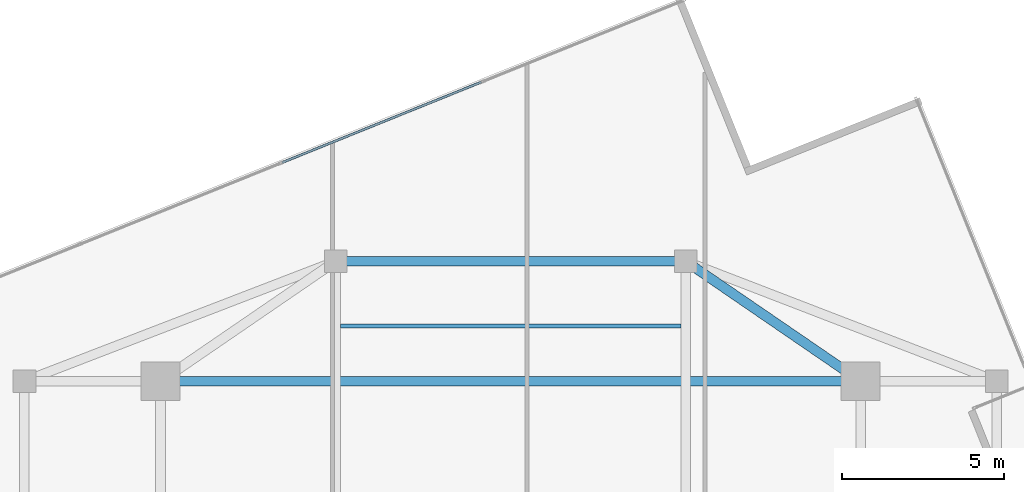
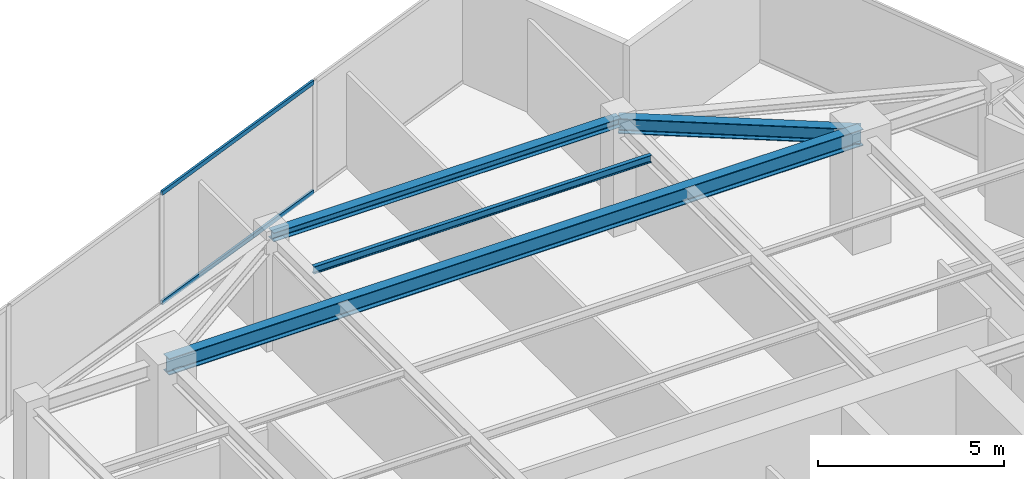
# One storey, part 14 of 21: 4 beams, 2 members, 1 element without a shape of its own.
"""IFC4 building model written with IfcOpenShell, lengths in metres."""

import ifcopenshell
import ifcopenshell.guid

model = None  # the IFC model being written
_history = None  # IfcOwnerHistory: only IFC2X3 demands one
_inside = {}  # id of a spatial element -> (the spatial element, [elements in it])
_under = {}  # id of a project, library or spatial element -> (it, [spatial elements below it])
_declared = {}  # id of a project -> (the project, [libraries it declares])
_typed = {}  # id of a type object -> (the type object, [elements of that type])
_made_of = {}  # id of a material, layer set ... -> (it, [elements and type objects made of it])


def new_model(schema):
    """Start an empty IFC model of exactly this schema.

    Asked for "IFC4X3", IfcOpenShell would pick the latest addendum, in which some entities
    have other attributes; the version numbers below select the first issue.
    IFC2X3 requires an IfcOwnerHistory on every rooted entity: one is made here for all.
    """
    global model, _history
    if schema == "IFC4X3":
        model = ifcopenshell.file(schema_version=(4, 3, 0, 0))
    else:
        model = ifcopenshell.file(schema=schema)
    _inside.clear()
    _under.clear()
    _declared.clear()
    _typed.clear()
    _made_of.clear()
    _history = None
    if model.schema == "IFC2X3":
        org = make("IfcOrganization", Name="unknown")
        user = make(
            "IfcPersonAndOrganization",
            ThePerson=make("IfcPerson", FamilyName="unknown"),
            TheOrganization=org,
        )
        app = make(
            "IfcApplication",
            ApplicationDeveloper=org,
            Version="unknown",
            ApplicationFullName="unknown",
            ApplicationIdentifier="unknown",
        )
        _history = make(
            "IfcOwnerHistory",
            OwningUser=user,
            OwningApplication=app,
            ChangeAction="ADDED",
            CreationDate=0,
        )
    return model


def make(cls, **values):
    """One entity of the class cls with the attributes given. An attribute that is None is left unset."""
    return model.create_entity(
        cls, **{name: value for name, value in values.items() if value is not None}
    )


def rooted(cls, **values):
    """An entity with a GlobalId (a new one), such as an element, a storey or a relation."""
    return make(cls, GlobalId=ifcopenshell.guid.new(), OwnerHistory=_history, **values)


def si_unit(unit_type, name, prefix=None):
    """IfcSIUnit, for example si_unit("LENGTHUNIT", "METRE", prefix="MILLI")."""
    return make("IfcSIUnit", UnitType=unit_type, Prefix=prefix, Name=name)


def assignment(units):
    """IfcUnitAssignment: the units of a project."""
    return None if units is None else make("IfcUnitAssignment", Units=units)


def point(xyz):
    """IfcCartesianPoint."""
    return None if xyz is None else make("IfcCartesianPoint", Coordinates=xyz)


def direction(xyz):
    """IfcDirection."""
    return None if xyz is None else make("IfcDirection", DirectionRatios=xyz)


def frame(location, z_axis=None, x_axis=None):
    """IfcAxis2Placement3D, a coordinate frame: its origin and axes. An axis left out is left unset."""
    return make(
        "IfcAxis2Placement3D",
        Location=point(location),
        Axis=direction(z_axis),
        RefDirection=direction(x_axis),
    )


def frame_2d(location, x_axis=None):
    """IfcAxis2Placement2D, a coordinate frame in the plane: its origin and x axis."""
    return make(
        "IfcAxis2Placement2D", Location=point(location), RefDirection=direction(x_axis)
    )


def origin():
    """The frame at (0, 0, 0) with its axes left unset."""
    return frame((0.0, 0.0, 0.0))


def origin_2d():
    """The frame at (0, 0) in the plane with its x axis left unset."""
    return frame_2d((0.0, 0.0))


def place(relative_to, where):
    """IfcLocalPlacement: puts the frame where relative to a parent placement (None: the world)."""
    return make(
        "IfcLocalPlacement", PlacementRelTo=relative_to, RelativePlacement=where
    )


def context(
    kind, dimensions, precision=None, world=None, true_north=None, identifier=None
):
    """IfcGeometricRepresentationContext, for example the 3D "Model" context."""
    return make(
        "IfcGeometricRepresentationContext",
        ContextIdentifier=identifier,
        ContextType=kind,
        CoordinateSpaceDimension=dimensions,
        Precision=precision,
        WorldCoordinateSystem=world,
        TrueNorth=true_north,
    )


def subcontext(parent, identifier, kind, view, scale=None):
    """IfcGeometricRepresentationSubContext, for example "Body" below "Model"."""
    return make(
        "IfcGeometricRepresentationSubContext",
        ContextIdentifier=identifier,
        ContextType=kind,
        ParentContext=parent,
        TargetScale=scale,
        TargetView=view,
    )


def project(units=None, contexts=None):
    """IfcProject with its units and contexts."""
    return rooted(
        "IfcProject",
        Name="project",
        RepresentationContexts=contexts,
        UnitsInContext=assignment(units),
    )


def spatial(cls, under=None, at=None, **own):
    """A site, building, storey or space (cls), placed at a placement, below another one or the project."""
    s = rooted(cls, ObjectPlacement=at, **own)
    if under is not None:
        _under.setdefault(under.id(), (under, []))[1].append(s)
    return s


def profile(cls, at=None, kind="AREA", **sizes):
    """A parametric profile (cls). Its sizes go by their IFC names, for example OverallWidth=200.0."""
    return make(cls, ProfileType=kind, Position=at, **sizes)


def hollow_rectangle(**sizes):
    """IfcRectangleHollowProfileDef."""
    return profile("IfcRectangleHollowProfileDef", **sizes)


def i_section(**sizes):
    """IfcIShapeProfileDef."""
    return profile("IfcIShapeProfileDef", **sizes)


def extrude(swept, where, along, depth):
    """IfcExtrudedAreaSolid: the profile swept, set in the frame where, extruded along a direction by depth."""
    return make(
        "IfcExtrudedAreaSolid",
        SweptArea=swept,
        Position=where,
        ExtrudedDirection=direction(along),
        Depth=depth,
    )


def shape(context_of_items, identifier, shape_type, items):
    """IfcShapeRepresentation: the items that make up one representation, for example the "Body"."""
    return make(
        "IfcShapeRepresentation",
        ContextOfItems=context_of_items,
        RepresentationIdentifier=identifier,
        RepresentationType=shape_type,
        Items=items,
    )


def source(mapping_origin, context_of_items, identifier, shape_type, items):
    """IfcRepresentationMap: a shape defined once, which mapped items show again and again."""
    return make(
        "IfcRepresentationMap",
        MappingOrigin=mapping_origin,
        MappedRepresentation=shape(context_of_items, identifier, shape_type, items),
    )


def transform(
    local_origin,
    x_axis=None,
    y_axis=None,
    z_axis=None,
    scale=None,
    scale2=None,
    scale3=None,
    uniform=True,
):
    """IfcCartesianTransformationOperator3D, or its non-uniform kind. x_axis, y_axis, z_axis: its Axis1, 2, 3."""
    if uniform:
        return make(
            "IfcCartesianTransformationOperator3D",
            Axis1=direction(x_axis),
            Axis2=direction(y_axis),
            LocalOrigin=point(local_origin),
            Scale=scale,
            Axis3=direction(z_axis),
        )
    return make(
        "IfcCartesianTransformationOperator3DnonUniform",
        Axis1=direction(x_axis),
        Axis2=direction(y_axis),
        LocalOrigin=point(local_origin),
        Scale=scale,
        Axis3=direction(z_axis),
        Scale2=scale2,
        Scale3=scale3,
    )


def mapped(mapping_source, mapping_target):
    """IfcMappedItem: shows the shape of a source again, moved by a transform."""
    return make(
        "IfcMappedItem", MappingSource=mapping_source, MappingTarget=mapping_target
    )


def material(Name=None, Category=None):
    """IfcMaterial."""
    return make("IfcMaterial", Name=Name, Category=Category)


def material_profile(
    of_material, cross_section, Name=None, Category=None, Priority=None
):
    """IfcMaterialProfile: a cross section and its material."""
    return make(
        "IfcMaterialProfile",
        Name=Name,
        Material=of_material,
        Profile=cross_section,
        Priority=Priority,
        Category=Category,
    )


def profile_set(profiles, Name=None, composite=None):
    """IfcMaterialProfileSet."""
    return make(
        "IfcMaterialProfileSet",
        Name=Name,
        MaterialProfiles=profiles,
        CompositeProfile=composite,
    )


def made_of(thing, what):
    """Note that an element or type object is made of a material, layer set ...; save() writes the relation."""
    if what is not None:
        _made_of.setdefault(what.id(), (what, []))[1].append(thing)
    return thing


def type_object(cls, material=None, **own):
    """A type object (cls), such as IfcWallType, which elements share."""
    return made_of(rooted(cls, **own), material)


def type_shapes(of_type, sources):
    """Give a type object the sources (RepresentationMaps) that its elements show as mapped items."""
    of_type.RepresentationMaps = sources


def element(
    cls,
    number,
    at=None,
    inside=None,
    cuts=None,
    type_object=None,
    material=None,
    context=None,
    identifier="Body",
    shape_type=None,
    held_by="IfcProductDefinitionShape",
    body=None,
    shapes=None,
    **own,
):
    """One element of the class cls, such as IfcWall. Its Tag is "e" and its number.

    at: its placement. inside: the storey or other place that contains it. cuts: it is an
    opening in that element (IfcRelVoidsElement). A single representation is given by context,
    identifier, shape_type and body (its items); several are given by shapes. held_by: the class
    of the entity that holds the representations. save() writes the other relations.
    """
    e = rooted(cls, Tag="e%d" % number, ObjectPlacement=at, **own)
    if body is not None:
        shapes = [shape(context, identifier, shape_type, body)]
    if shapes is not None:
        e.Representation = make(held_by, Representations=shapes)
    if inside is not None:
        _inside.setdefault(inside.id(), (inside, []))[1].append(e)
    if cuts is not None:
        rooted(
            "IfcRelVoidsElement", RelatingBuildingElement=cuts, RelatedOpeningElement=e
        )
    if type_object is not None:
        _typed.setdefault(type_object.id(), (type_object, []))[1].append(e)
    return made_of(e, material)


def aggregate(whole, parts):
    """IfcRelAggregates: a whole, such as a stair, and the parts it consists of."""
    return rooted("IfcRelAggregates", RelatingObject=whole, RelatedObjects=parts)


def save(model, path):
    """Write the relations noted so far, then the file.

    IfcRelAggregates (storeys below a building ...), IfcRelContainedInSpatialStructure (elements
    in a storey), IfcRelDefinesByType, IfcRelAssociatesMaterial and IfcRelDeclares: one each for
    every whole, place, type object, material and project.
    """
    for whole, parts in _under.values():
        aggregate(whole, parts)
    for where, things in _inside.values():
        rooted(
            "IfcRelContainedInSpatialStructure",
            RelatedElements=things,
            RelatingStructure=where,
        )
    for kind, things in _typed.values():
        rooted("IfcRelDefinesByType", RelatedObjects=things, RelatingType=kind)
    for what, things in _made_of.values():
        rooted("IfcRelAssociatesMaterial", RelatedObjects=things, RelatingMaterial=what)
    for by, libraries in _declared.values():
        rooted("IfcRelDeclares", RelatingContext=by, RelatedDefinitions=libraries)
    model.write(path)


model = new_model("IFC4")

# Units and contexts
model_context = context("Model", 3, precision=1e-05, world=origin(), true_north=direction((0.0, 1.0)))
body_context = subcontext(model_context, "Body", "Model", "MODEL_VIEW")
ifc_project = project(units=[si_unit("LENGTHUNIT", "METRE"), si_unit("AREAUNIT", "SQUARE_METRE"), si_unit("VOLUMEUNIT", "CUBIC_METRE"), si_unit("PLANEANGLEUNIT", "RADIAN"), si_unit("MASSUNIT", "GRAM", prefix="KILO")], contexts=[model_context])

# Site, building, storey
site_placement = place(None, origin())
site = spatial("IfcSite", under=ifc_project, at=site_placement, CompositionType="ELEMENT")
building_placement = place(site_placement, origin())
building = spatial("IfcBuilding", under=site, at=building_placement, Name="Krantzveldt Concourse Tower", CompositionType="ELEMENT")
storey_placement = place(building_placement, frame((0.0, 0.0, 327.699951171875)))
storey = spatial("IfcBuildingStorey", under=building, at=storey_placement, Name="L80", CompositionType="ELEMENT", Elevation=327.699951171875)

# Beams
ifc_material_1 = material(Name="Steel S355JR", Category="steel")
ifc_material_profile_1 = material_profile(ifc_material_1, i_section(OverallWidth=0.300048828125, OverallDepth=0.489990234375, WebThickness=0.011962890625, FlangeThickness=0.02294921875, FilletRadius=0.027099609375, at=origin_2d()), Name="Steel S355JR", Category="steel")
ifc_profile_set_1 = profile_set([ifc_material_profile_1], Name="Steel S355JR - HEA 500")
beam_type_1 = type_object("IfcBeamType", Name="BM-B-HEA500", PredefinedType="BEAM", material=ifc_profile_set_1)
shared_shape_1 = source(origin(), body_context, "Body", "SweptSolid", [
    extrude(i_section(OverallWidth=0.300048828125, OverallDepth=0.489990234375, WebThickness=0.011962890625, FlangeThickness=0.02294921875, FilletRadius=0.027099609375, at=origin_2d()), origin(), (0.0, 0.0, 1.0), 6.546142578125),
])
type_shapes(beam_type_1, [shared_shape_1])
beam_1_placement = place(storey_placement, frame((46.800048828125, 37.5, 3.425048828125), z_axis=(-0.824942999484, 0.565215930068, 0.0), x_axis=(-0.565215930068, -0.824942999484, 0.0)))
element("IfcBeam", 1, at=beam_1_placement, inside=storey, type_object=beam_type_1, Name="L80 Tower Girder BR-RR4", PredefinedType="BEAM", context=body_context, shape_type="MappedRepresentation", body=[
    mapped(shared_shape_1, transform((0.0, 0.0, 0.0), x_axis=(1.0, 0.0, 0.0), y_axis=(0.0, 1.0, 0.0), z_axis=(0.0, 0.0, 1.0), scale=1.0)),
])
ifc_material_profile_2 = material_profile(ifc_material_1, i_section(OverallWidth=0.300048828125, OverallDepth=0.5400390625, WebThickness=0.012451171875, FlangeThickness=0.02392578125, FilletRadius=0.027099609375, at=origin_2d()), Name="Steel S355JR", Category="steel")
ifc_profile_set_2 = profile_set([ifc_material_profile_2], Name="Steel S355JR - HEA 550")
beam_type_2 = type_object("IfcBeamType", Name="BM-B-HEA550", PredefinedType="BEAM", material=ifc_profile_set_2)
shared_shape_2 = source(origin(), body_context, "Body", "SweptSolid", [
    extrude(i_section(OverallWidth=0.300048828125, OverallDepth=0.5400390625, WebThickness=0.012451171875, FlangeThickness=0.02392578125, FilletRadius=0.027099609375, at=origin_2d()), origin(), (0.0, 0.0, 1.0), 21.60009765625),
])
type_shapes(beam_type_2, [shared_shape_2])
beam_2_placement = place(storey_placement, frame((25.199951171875, 37.5, 3.400146484375), z_axis=(1.0, 0.0, 0.0), x_axis=(0.0, 1.0, 0.0)))
element("IfcBeam", 2, at=beam_2_placement, inside=storey, type_object=beam_type_2, Name="L80 Tower Girder BG-MN", PredefinedType="BEAM", context=body_context, shape_type="MappedRepresentation", body=[
    mapped(shared_shape_2, transform((0.0, 0.0, 0.0), x_axis=(1.0, 0.0, 0.0), y_axis=(0.0, 1.0, 0.0), z_axis=(0.0, 0.0, 1.0), scale=1.0)),
])
ifc_material_profile_3 = material_profile(ifc_material_1, i_section(OverallWidth=0.2900390625, OverallDepth=0.2900390625, WebThickness=0.008544921875, FlangeThickness=0.013916015625, FilletRadius=0.027099609375, at=origin_2d()), Name="Steel S355JR", Category="steel")
ifc_profile_set_3 = profile_set([ifc_material_profile_3], Name="Steel S355JR - HEA 300")
beam_type_3 = type_object("IfcBeamType", Name="BM-SP-HEA300", PredefinedType="SPANDREL", material=ifc_profile_set_3)
shared_shape_3 = source(origin(), body_context, "Body", "SweptSolid", [
    extrude(i_section(OverallWidth=0.2900390625, OverallDepth=0.2900390625, WebThickness=0.008544921875, FlangeThickness=0.013916015625, FilletRadius=0.027099609375, at=origin_2d()), origin(), (0.0, 0.0, 1.0), 10.7998046875),
])
type_shapes(beam_type_3, [shared_shape_3])
beam_3_placement = place(storey_placement, frame((30.60009765625, 41.199951171875, 3.525146484375), z_axis=(1.0, 0.0, 0.0), x_axis=(0.0, 1.0, 0.0)))
element("IfcBeam", 3, at=beam_3_placement, inside=storey, type_object=beam_type_3, Name="L80 Tower Girder SP-R04", PredefinedType="SPANDREL", context=body_context, shape_type="MappedRepresentation", body=[
    mapped(shared_shape_3, transform((0.0, 0.0, 0.0), x_axis=(1.0, 0.0, 0.0), y_axis=(0.0, 1.0, 0.0), z_axis=(0.0, 0.0, 1.0), scale=1.0)),
])
ifc_material_profile_4 = material_profile(ifc_material_1, i_section(OverallWidth=0.1201171875, OverallDepth=0.239990234375, WebThickness=0.006103515625, FlangeThickness=0.009765625, FilletRadius=0.014892578125, at=origin_2d()), Name="Steel S355JR", Category="steel")
ifc_profile_set_4 = profile_set([ifc_material_profile_4], Name="Steel S355JR - IPE 240")
beam_type_4 = type_object("IfcBeamType", Name="BM-LN-IPE240", PredefinedType="LINTEL", material=ifc_profile_set_4)
shared_shape_4 = source(origin(), body_context, "Body", "SweptSolid", [
    extrude(i_section(OverallWidth=0.1201171875, OverallDepth=0.239990234375, WebThickness=0.006103515625, FlangeThickness=0.009765625, FilletRadius=0.014892578125, at=origin_2d()), origin(), (0.0, 0.0, 1.0), 10.5),
])
type_shapes(beam_type_4, [shared_shape_4])
beam_4_placement = place(storey_placement, frame((30.75, 39.199951171875, 3.550048828125), z_axis=(1.0, 0.0, 0.0), x_axis=(0.0, 1.0, 0.0)))
element("IfcBeam", 4, at=beam_4_placement, inside=storey, type_object=beam_type_4, Name="L80 Secondary Floor Joist JN-C3", PredefinedType="LINTEL", context=body_context, shape_type="MappedRepresentation", body=[
    mapped(shared_shape_4, transform((0.0, 0.0, 0.0), x_axis=(1.0, 0.0, 0.0), y_axis=(0.0, 1.0, 0.0), z_axis=(0.0, 0.0, 1.0), scale=1.0)),
])

# Curtain wall, members
ifc_material_2 = material(Name="Anodised aluminium 6063-T6", Category="aluminium")
curtain_wall_type = type_object("IfcCurtainWallType", Name="CW4", PredefinedType="USERDEFINED", material=ifc_material_2)
curtain_wall_placement = place(storey_placement, origin())
curtain_wall = element("IfcCurtainWall", 5, at=curtain_wall_placement, inside=storey, type_object=curtain_wall_type, Name="CW-L80-F01", ObjectType="UNITISED CURTAIN WALL", PredefinedType="USERDEFINED")
ifc_material_profile_5 = material_profile(ifc_material_2, hollow_rectangle(XDim=0.070068359375, YDim=0.139892578125, WallThickness=0.0048828125, at=origin_2d()), Name="Anodised aluminium 6063-T6", Category="aluminium")
ifc_profile_set_5 = profile_set([ifc_material_profile_5], Name="Anodised aluminium 6063-T6 - ALU-TRAN 140x70x5")
member_type = type_object("IfcMemberType", Name="CW-TRN-150", PredefinedType="USERDEFINED", material=ifc_profile_set_5)
shared_shape_5 = source(origin(), body_context, "Body", "SweptSolid", [
    extrude(hollow_rectangle(XDim=0.070068359375, YDim=0.139892578125, WallThickness=0.0048828125, at=origin_2d()), origin(), (0.0, 0.0, 1.0), 6.6298828125),
])
type_shapes(member_type, [shared_shape_5])
member_1_placement = place(storey_placement, frame((35.095947265625, 46.729736328125, 0.03515625), z_axis=(-0.92718355196, -0.374607342392, 0.0), x_axis=(0.374607342392, -0.92718355196, 0.0)))
member_1 = element("IfcMember", 6, at=member_1_placement, type_object=member_type, Name="CW-Z56 transom 2.1", ObjectType="TRANSOM", PredefinedType="USERDEFINED", context=body_context, shape_type="MappedRepresentation", body=[
    mapped(shared_shape_5, transform((0.0, 0.0, 0.0), x_axis=(1.0, 0.0, 0.0), y_axis=(0.0, 1.0, 0.0), z_axis=(0.0, 0.0, 1.0), scale=1.0)),
])
member_2_placement = place(storey_placement, frame((35.095947265625, 46.729736328125, 3.635009765625), z_axis=(-0.92718355196, -0.374607342392, 0.0), x_axis=(0.374607342392, -0.92718355196, 0.0)))
member_2 = element("IfcMember", 7, at=member_2_placement, type_object=member_type, Name="CW-Z56 transom 2.2", ObjectType="TRANSOM", PredefinedType="USERDEFINED", context=body_context, shape_type="MappedRepresentation", body=[
    mapped(shared_shape_5, transform((0.0, 0.0, 0.0), x_axis=(1.0, 0.0, 0.0), y_axis=(0.0, 1.0, 0.0), z_axis=(0.0, 0.0, 1.0), scale=1.0)),
])
aggregate(curtain_wall, [member_1, member_2])

save(model, "model.ifc")
